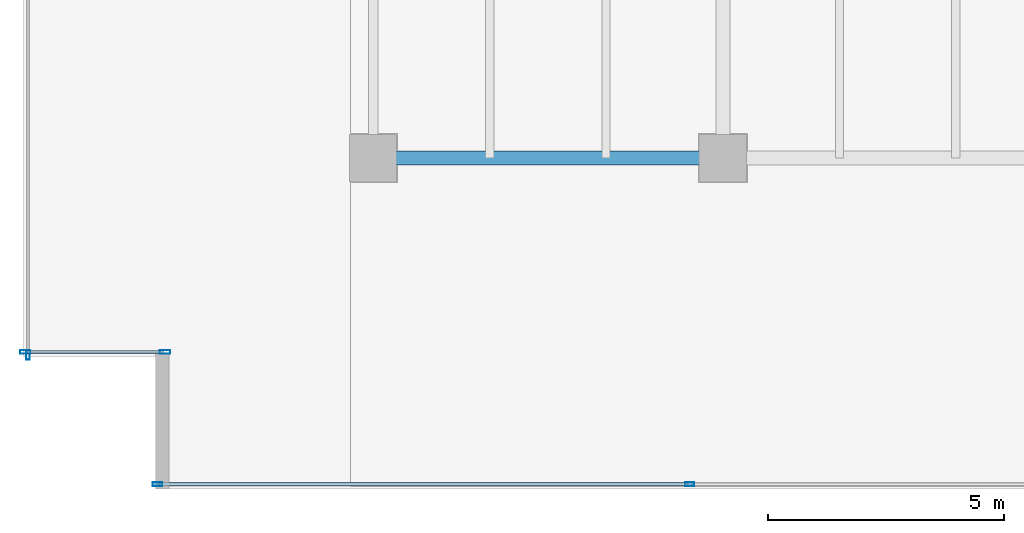
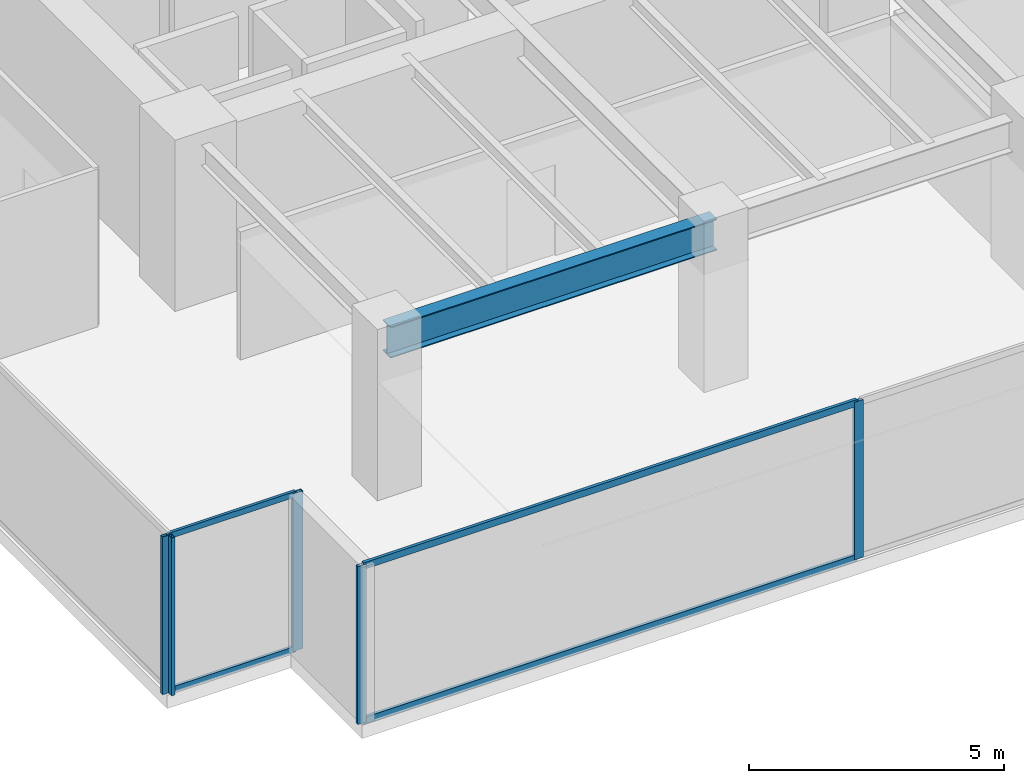
# One storey, part 2 of 36: 9 members, 1 beam, 3 elements without a shape of their own.
"""IFC4 building model written with IfcOpenShell, lengths in metres."""

from ifc_helpers import new_model, si_unit, direction, frame, origin, origin_2d, place, context, subcontext, project, spatial, hollow_rectangle, i_section, extrude, source, transform, mapped, material, layer, layer_set, material_profile, profile_set, type_object, type_shapes, element, aggregate, save


model = new_model("IFC4")

# Units and contexts
model_context = context("Model", 3, precision=1e-05, world=origin(), true_north=direction((0.0, 1.0)))
body_context = subcontext(model_context, "Body", "Model", "MODEL_VIEW")
ifc_project = project(units=[si_unit("LENGTHUNIT", "METRE"), si_unit("AREAUNIT", "SQUARE_METRE"), si_unit("VOLUMEUNIT", "CUBIC_METRE"), si_unit("PLANEANGLEUNIT", "RADIAN"), si_unit("MASSUNIT", "GRAM", prefix="KILO")], contexts=[model_context])

# Site, building, storey
site_placement = place(None, origin())
site = spatial("IfcSite", under=ifc_project, at=site_placement, CompositionType="ELEMENT")
building_placement = place(site_placement, origin())
building = spatial("IfcBuilding", under=site, at=building_placement, Name="Haelvirn Gate Laboratories", CompositionType="ELEMENT")
storey_placement = place(building_placement, frame((0.0, 0.0, 53.89990234375)))
storey = spatial("IfcBuildingStorey", under=building, at=storey_placement, Name="L13", CompositionType="ELEMENT", Elevation=53.89990234375)

# Beam
ifc_material_1 = material(Name="Steel SM355", Category="steel")
ifc_material_profile_1 = material_profile(ifc_material_1, i_section(OverallWidth=0.300048828125, OverallDepth=0.75, WebThickness=0.013916015625, FlangeThickness=0.02392578125, at=origin_2d()), Name="H-750x300x14x24")
ifc_profile_set_1 = profile_set([ifc_material_profile_1], Name="Steel SM355")
beam_type = type_object("IfcBeamType", Name="BM-G-750", PredefinedType="BEAM", material=ifc_profile_set_1)
shared_shape_1 = source(origin(), body_context, "Body", "SweptSolid", [
    extrude(i_section(OverallWidth=0.300048828125, OverallDepth=0.75, WebThickness=0.013916015625, FlangeThickness=0.02392578125, at=origin_2d()), origin(), (0.0, 0.0, 1.0), 7.400146484375),
])
type_shapes(beam_type, [shared_shape_1])
beam_placement = place(storey_placement, frame((7.39990234375, 7.0, 3.405029296875), z_axis=(1.0, 0.0, 0.0), x_axis=(0.0, 1.0, 0.0)))
element("IfcBeam", 1, at=beam_placement, inside=storey, type_object=beam_type, Name="L13 Primary Girder Y7.0 (7.4-14.8)", PredefinedType="BEAM", context=body_context, shape_type="MappedRepresentation", body=[
    mapped(shared_shape_1, transform((0.0, 0.0, 0.0), scale=1.0)),
])

# Curtain wall, members
ifc_material_2 = material(Name="Anodised bronze unitised aluminium & triple low-E glass", Category="aluminium")
ifc_layer_1 = layer(ifc_material_2, 0.18408203125, Name="CW-SYS-2")
ifc_layer_set_1 = layer_set([ifc_layer_1], Name="Anodised bronze unitised aluminium & triple low-E glass")
curtain_wall_type_1 = type_object("IfcCurtainWallType", Name="CW-SYS-2", PredefinedType="NOTDEFINED", material=ifc_layer_set_1)
curtain_wall_1_placement = place(storey_placement, origin())
curtain_wall_1 = element("IfcCurtainWall", 2, at=curtain_wall_1_placement, inside=storey, type_object=curtain_wall_type_1, Name="L13 Unitised Curtain Wall CW-L13-P0-E00-1", PredefinedType="NOTDEFINED")
ifc_material_3 = material(Name="Extruded aluminium 6063-T6 (anodised bronze)", Category="aluminium")
ifc_material_profile_2 = material_profile(ifc_material_3, hollow_rectangle(XDim=0.074951171875, YDim=0.199951171875, WallThickness=0.0048828125, at=origin_2d()), Name="CWM-200x75x5")
ifc_profile_set_2 = profile_set([ifc_material_profile_2], Name="Extruded aluminium 6063-T6 (anodised bronze)")
member_type_1 = type_object("IfcMemberType", Name="CWM-T200", PredefinedType="MULLION", material=ifc_profile_set_2)
shared_shape_2 = source(origin(), body_context, "Body", "SweptSolid", [
    extrude(hollow_rectangle(XDim=0.074951171875, YDim=0.199951171875, WallThickness=0.0048828125, at=origin_2d()), origin(), (0.0, 0.0, 1.0), 3.780029296875),
])
type_shapes(member_type_1, [shared_shape_2])
member_1_placement = place(storey_placement, frame((2.83740234375, 0.10009765625, 0.0), z_axis=(0.0, 0.0, 1.0), x_axis=(0.0, 1.0, 0.0)))
member_1 = element("IfcMember", 3, at=member_1_placement, type_object=member_type_1, Name="CW2 mullion 1", PredefinedType="MULLION", context=body_context, shape_type="MappedRepresentation", body=[
    mapped(shared_shape_2, transform((0.0, 0.0, 0.0), scale=1.0)),
])
member_2_placement = place(storey_placement, frame((14.10009765625, 0.10009765625, 0.0), z_axis=(0.0, 0.0, 1.0), x_axis=(0.0, 1.0, 0.0)))
member_2 = element("IfcMember", 4, at=member_2_placement, type_object=member_type_1, Name="CW2 mullion 2", PredefinedType="MULLION", context=body_context, shape_type="MappedRepresentation", body=[
    mapped(shared_shape_2, transform((0.0, 0.0, 0.0), scale=1.0)),
])

# Curtain wall, member
curtain_wall_2_placement = place(storey_placement, origin())
curtain_wall_2 = element("IfcCurtainWall", 5, at=curtain_wall_2_placement, inside=storey, type_object=curtain_wall_type_1, Name="L13 Unitised Curtain Wall CW-L13-P0-E17", PredefinedType="NOTDEFINED")
member_3_placement = place(storey_placement, frame((0.10009765625, 2.83740234375, 0.0), z_axis=(0.0, 0.0, 1.0), x_axis=(1.0, 0.0, 0.0)))
member_3 = element("IfcMember", 6, at=member_3_placement, type_object=member_type_1, Name="CW2 mullion 4", PredefinedType="MULLION", context=body_context, shape_type="MappedRepresentation", body=[
    mapped(shared_shape_2, transform((0.0, 0.0, 0.0), scale=1.0)),
])
aggregate(curtain_wall_2, [member_3])

# Member
ifc_material_profile_3 = material_profile(ifc_material_3, hollow_rectangle(XDim=0.070068359375, YDim=0.159912109375, WallThickness=0.0048828125, at=origin_2d()), Name="CWT-160x70x5")
ifc_profile_set_3 = profile_set([ifc_material_profile_3], Name="Extruded aluminium 6063-T6 (anodised bronze)")
member_type_2 = type_object("IfcMemberType", Name="CWT-T160", PredefinedType="USERDEFINED", material=ifc_profile_set_3)
shared_shape_3 = source(origin(), body_context, "Body", "SweptSolid", [
    extrude(hollow_rectangle(XDim=0.070068359375, YDim=0.159912109375, WallThickness=0.0048828125, at=origin_2d()), origin(), (0.0, 0.0, 1.0), 11.1875),
])
type_shapes(member_type_2, [shared_shape_3])
member_4_placement = place(storey_placement, frame((2.875, 0.10009765625, 0.03515625), z_axis=(1.0, 0.0, 0.0), x_axis=(0.0, 1.0, 0.0)))
member_4 = element("IfcMember", 7, at=member_4_placement, type_object=member_type_2, Name="CW2 transom 1.1", ObjectType="TRANSOM", PredefinedType="USERDEFINED", context=body_context, shape_type="MappedRepresentation", body=[
    mapped(shared_shape_3, transform((0.0, 0.0, 0.0), scale=1.0)),
])

member_5_placement = place(storey_placement, frame((2.875, 0.10009765625, 3.7451171875), z_axis=(1.0, 0.0, 0.0), x_axis=(0.0, 1.0, 0.0)))
member_5 = element("IfcMember", 8, at=member_5_placement, type_object=member_type_2, Name="CW2 transom 1.2", ObjectType="TRANSOM", PredefinedType="USERDEFINED", context=body_context, shape_type="MappedRepresentation", body=[
    mapped(shared_shape_3, transform((0.0, 0.0, 0.0), scale=1.0)),
])

aggregate(curtain_wall_1, [member_1, member_2, member_4, member_5])

# Curtain wall, members
ifc_layer_2 = layer(ifc_material_2, 0.181884765625, Name="CW-SYS-5")
ifc_layer_set_2 = layer_set([ifc_layer_2], Name="Anodised bronze unitised aluminium & triple low-E glass")
curtain_wall_type_2 = type_object("IfcCurtainWallType", Name="CW-SYS-5", PredefinedType="NOTDEFINED", material=ifc_layer_set_2)
curtain_wall_3_placement = place(storey_placement, origin())
curtain_wall_3 = element("IfcCurtainWall", 9, at=curtain_wall_3_placement, inside=storey, type_object=curtain_wall_type_2, Name="L13 Unitised Curtain Wall CW-L13-P0-E18-1", PredefinedType="NOTDEFINED")
ifc_material_profile_4 = material_profile(ifc_material_3, hollow_rectangle(XDim=0.080078125, YDim=0.219970703125, WallThickness=0.006103515625, at=origin_2d()), Name="CWM-220x80x6")
ifc_profile_set_4 = profile_set([ifc_material_profile_4], Name="Extruded aluminium 6063-T6 (anodised bronze)")
member_type_3 = type_object("IfcMemberType", Name="CWM-T220", PredefinedType="MULLION", material=ifc_profile_set_4)
shared_shape_4 = source(origin(), body_context, "Body", "SweptSolid", [
    extrude(hollow_rectangle(XDim=0.080078125, YDim=0.219970703125, WallThickness=0.006103515625, at=origin_2d()), origin(), (0.0, 0.0, 1.0), 3.780029296875),
])
type_shapes(member_type_3, [shared_shape_4])
member_6_placement = place(storey_placement, frame((0.0400390625, 2.89990234375, 0.0), z_axis=(0.0, 0.0, 1.0), x_axis=(0.0, 1.0, 0.0)))
member_6 = element("IfcMember", 10, at=member_6_placement, type_object=member_type_3, Name="CW5 mullion 1", PredefinedType="MULLION", context=body_context, shape_type="MappedRepresentation", body=[
    mapped(shared_shape_4, transform((0.0, 0.0, 0.0), scale=1.0)),
])
member_7_placement = place(storey_placement, frame((3.0, 2.89990234375, 0.0), z_axis=(0.0, 0.0, 1.0), x_axis=(0.0, 1.0, 0.0)))
member_7 = element("IfcMember", 11, at=member_7_placement, type_object=member_type_3, Name="CW5 mullion 2", PredefinedType="MULLION", context=body_context, shape_type="MappedRepresentation", body=[
    mapped(shared_shape_4, transform((0.0, 0.0, 0.0), scale=1.0)),
])
ifc_material_profile_5 = material_profile(ifc_material_3, hollow_rectangle(XDim=0.06494140625, YDim=0.139892578125, WallThickness=0.00390625, at=origin_2d()), Name="CWT-140x65x4")
ifc_profile_set_5 = profile_set([ifc_material_profile_5], Name="Extruded aluminium 6063-T6 (anodised bronze)")
member_type_4 = type_object("IfcMemberType", Name="CWT-T140", PredefinedType="USERDEFINED", material=ifc_profile_set_5)
shared_shape_5 = source(origin(), body_context, "Body", "SweptSolid", [
    extrude(hollow_rectangle(XDim=0.06494140625, YDim=0.139892578125, WallThickness=0.00390625, at=origin_2d()), origin(), (0.0, 0.0, 1.0), 2.8798828125),
])
type_shapes(member_type_4, [shared_shape_5])
member_8_placement = place(storey_placement, frame((0.080078125, 2.89990234375, 0.03271484375), z_axis=(1.0, 0.0, 0.0), x_axis=(0.0, 1.0, 0.0)))
member_8 = element("IfcMember", 12, at=member_8_placement, type_object=member_type_4, Name="CW5 transom 1.1", ObjectType="TRANSOM", PredefinedType="USERDEFINED", context=body_context, shape_type="MappedRepresentation", body=[
    mapped(shared_shape_5, transform((0.0, 0.0, 0.0), scale=1.0)),
])
member_9_placement = place(storey_placement, frame((0.080078125, 2.89990234375, 3.74755859375), z_axis=(1.0, 0.0, 0.0), x_axis=(0.0, 1.0, 0.0)))
member_9 = element("IfcMember", 13, at=member_9_placement, type_object=member_type_4, Name="CW5 transom 1.2", ObjectType="TRANSOM", PredefinedType="USERDEFINED", context=body_context, shape_type="MappedRepresentation", body=[
    mapped(shared_shape_5, transform((0.0, 0.0, 0.0), scale=1.0)),
])
aggregate(curtain_wall_3, [member_6, member_7, member_8, member_9])

save(model, "model.ifc")
